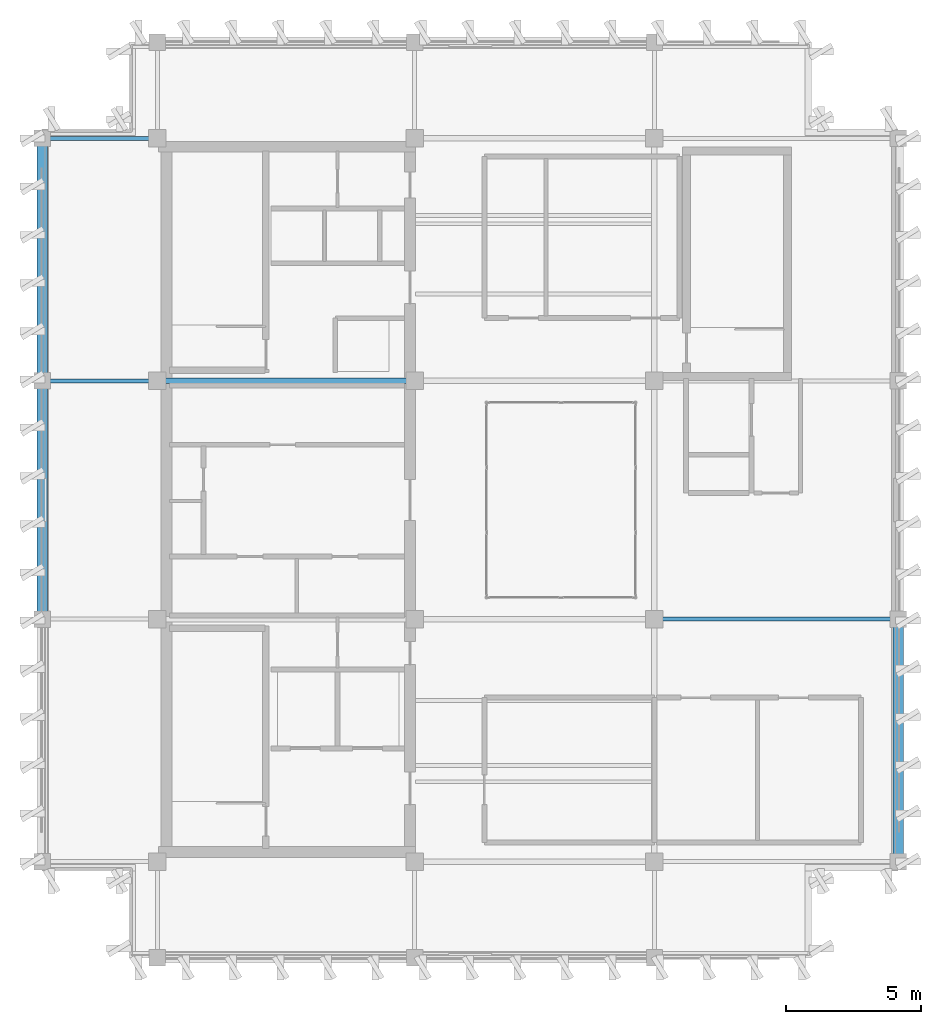
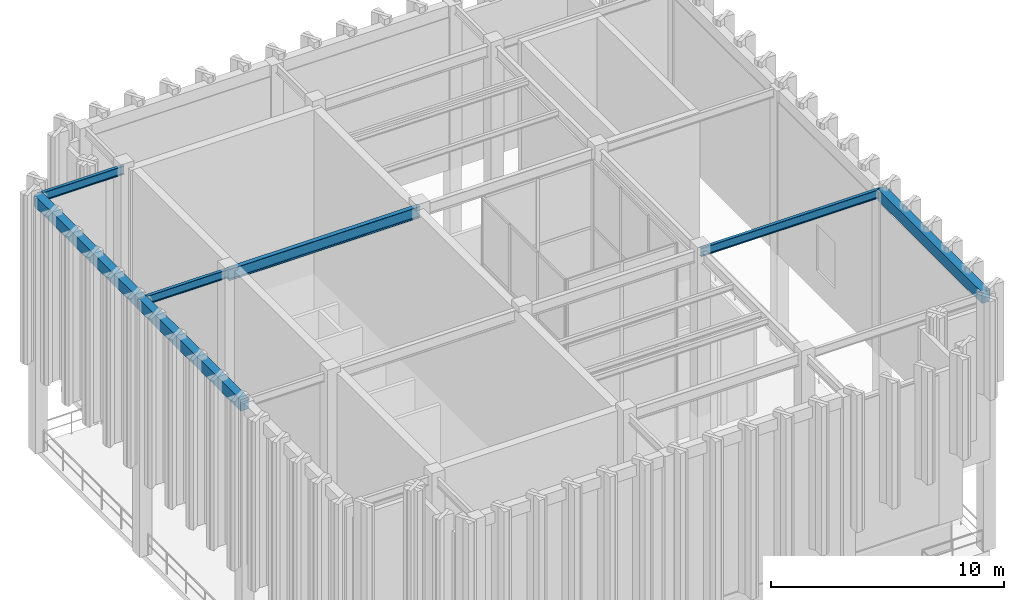
# One storey, part 4 of 15: 7 beams.
"""IFC4 building model written with IfcOpenShell, lengths in metres."""

from ifc_helpers import new_model, si_unit, direction, frame, origin, origin_2d, place, context, subcontext, project, spatial, rectangle, i_section, extrude, material, material_profile, profile_set, type_object, element, save


model = new_model("IFC4")

# Units and contexts
model_context = context("Model", 3, precision=1e-05, world=origin(), true_north=direction((0.0, 1.0)))
body_context = subcontext(model_context, "Body", "Model", "MODEL_VIEW")
ifc_project = project(units=[si_unit("LENGTHUNIT", "METRE"), si_unit("AREAUNIT", "SQUARE_METRE"), si_unit("VOLUMEUNIT", "CUBIC_METRE"), si_unit("PLANEANGLEUNIT", "RADIAN"), si_unit("MASSUNIT", "GRAM", prefix="KILO")], contexts=[model_context])

# Site, building, storey
site_placement = place(None, origin())
site = spatial("IfcSite", under=ifc_project, at=site_placement, CompositionType="ELEMENT")
building_placement = place(site_placement, origin())
building = spatial("IfcBuilding", under=site, at=building_placement, Name="Kundavana Baori Tower", CompositionType="ELEMENT")
storey_placement = place(building_placement, frame((0.0, 0.0, 354.699951171875)))
storey = spatial("IfcBuildingStorey", under=building, at=storey_placement, Name="L88", CompositionType="ELEMENT", Elevation=354.699951171875)

# Beams
ifc_material_1 = material(Name="Concrete C50/60", Category="concrete")
ifc_material_profile_1 = material_profile(ifc_material_1, rectangle(XDim=0.39990234375, YDim=0.60009765625, at=origin_2d()), Name="RC BM 400x600")
ifc_profile_set_1 = profile_set([ifc_material_profile_1], Name="Concrete C50/60")
beam_type_1 = type_object("IfcBeamType", Name="BM-PF-600", PredefinedType="SPANDREL", material=ifc_profile_set_1)
beam_1_placement = place(storey_placement, frame((11.199951171875, 24.199951171875, 13.10009765625), z_axis=(0.0, 1.0, 0.0), x_axis=(-1.0, 0.0, 0.0)))
element("IfcBeam", 1, at=beam_1_placement, inside=storey, type_object=beam_type_1, Name="L88 Perimeter Frame Ring Beam W2", PredefinedType="SPANDREL", context=body_context, shape_type="SweptSolid", body=[
    extrude(rectangle(XDim=0.39990234375, YDim=0.60009765625, at=origin_2d()), origin(), (0.0, 0.0, 1.0), 8.800048828125),
])
for number, where, z_axis, x_axis, name in (
    (2, (11.199951171875, 33.0, 13.10009765625), (0.0, 1.0, 0.0), (-1.0, 0.0, 0.0), "L88 Perimeter Frame Ring Beam W3"),
    (3, (42.800048828125, 15.25, 13.10009765625), (0.0, 1.0, 0.0), (-1.0, 0.0, 0.0), "L88 Perimeter Frame Ring Beam E1"),
):
    element("IfcBeam", number, at=place(storey_placement, frame(where, z_axis=z_axis, x_axis=x_axis)), inside=storey, type_object=beam_type_1, Name=name, PredefinedType="SPANDREL", context=body_context, shape_type="SweptSolid", body=[
        extrude(rectangle(XDim=0.39990234375, YDim=0.60009765625, at=origin_2d()), origin(), (0.0, 0.0, 1.0), 8.949951171875),
    ])
ifc_material_2 = material(Name="Structural Steel S355JR", Category="steel")
ifc_material_profile_2 = material_profile(ifc_material_2, i_section(OverallWidth=0.2099609375, OverallDepth=0.60009765625, WebThickness=0.011962890625, FlangeThickness=0.020751953125, FilletRadius=0.02001953125, at=origin_2d()), Name="ISMB 600")
ifc_profile_set_2 = profile_set([ifc_material_profile_2], Name="Structural Steel S355JR")
beam_type_2 = type_object("IfcBeamType", Name="BM-ST-600", PredefinedType="BEAM", material=ifc_profile_set_2)
beam_2_placement = place(storey_placement, frame((15.449951171875, 33.0, 13.10009765625), z_axis=(1.0, 0.0, 0.0), x_axis=(0.0, 1.0, 0.0)))
element("IfcBeam", 4, at=beam_2_placement, inside=storey, type_object=beam_type_2, Name="L88 Primary Grid Girder GX-3-1", PredefinedType="BEAM", context=body_context, shape_type="SweptSolid", body=[
    extrude(i_section(OverallWidth=0.2099609375, OverallDepth=0.60009765625, WebThickness=0.011962890625, FlangeThickness=0.020751953125, FilletRadius=0.02001953125, at=origin_2d()), origin(), (0.0, 0.0, 1.0), 9.5),
])
ifc_material_3 = material(Name="Structural Steel S355JR", Category="steel")
ifc_material_profile_3 = material_profile(ifc_material_3, i_section(OverallWidth=0.14990234375, OverallDepth=0.449951171875, WebThickness=0.009521484375, FlangeThickness=0.017333984375, FilletRadius=0.014892578125, at=origin_2d()), Name="ISMB 450")
ifc_profile_set_3 = profile_set([ifc_material_profile_3], Name="Structural Steel S355JR")
beam_type_3 = type_object("IfcBeamType", Name="BM-TIE-450", PredefinedType="BEAM", material=ifc_profile_set_3)
beam_3_placement = place(storey_placement, frame((33.800048828125, 24.199951171875, 13.175048828125), z_axis=(1.0, 0.0, 0.0), x_axis=(0.0, 1.0, 0.0)))
element("IfcBeam", 5, at=beam_3_placement, inside=storey, type_object=beam_type_3, Name="L88 East Radial Loggia Tie Beam E2", PredefinedType="BEAM", context=body_context, shape_type="SweptSolid", body=[
    extrude(i_section(OverallWidth=0.14990234375, OverallDepth=0.449951171875, WebThickness=0.009521484375, FlangeThickness=0.017333984375, FilletRadius=0.014892578125, at=origin_2d()), origin(), (0.0, 0.0, 1.0), 9.0),
])
for number, where, z_axis, x_axis, name in (
    (6, (15.449951171875, 33.0, 13.175048828125), (-1.0, 0.0, 0.0), (0.0, -1.0, 0.0), "L88 West Radial Loggia Tie Beam W3"),
    (7, (15.449951171875, 41.949951171875, 13.175048828125), (-1.0, 0.0, 0.0), (0.0, -1.0, 0.0), "L88 West Radial Loggia Tie Beam W4"),
):
    element("IfcBeam", number, at=place(storey_placement, frame(where, z_axis=z_axis, x_axis=x_axis)), inside=storey, type_object=beam_type_3, Name=name, PredefinedType="BEAM", context=body_context, shape_type="SweptSolid", body=[
        extrude(i_section(OverallWidth=0.14990234375, OverallDepth=0.449951171875, WebThickness=0.009521484375, FlangeThickness=0.017333984375, FilletRadius=0.014892578125, at=origin_2d()), origin(), (0.0, 0.0, 1.0), 4.25),
    ])

save(model, "model.ifc")
